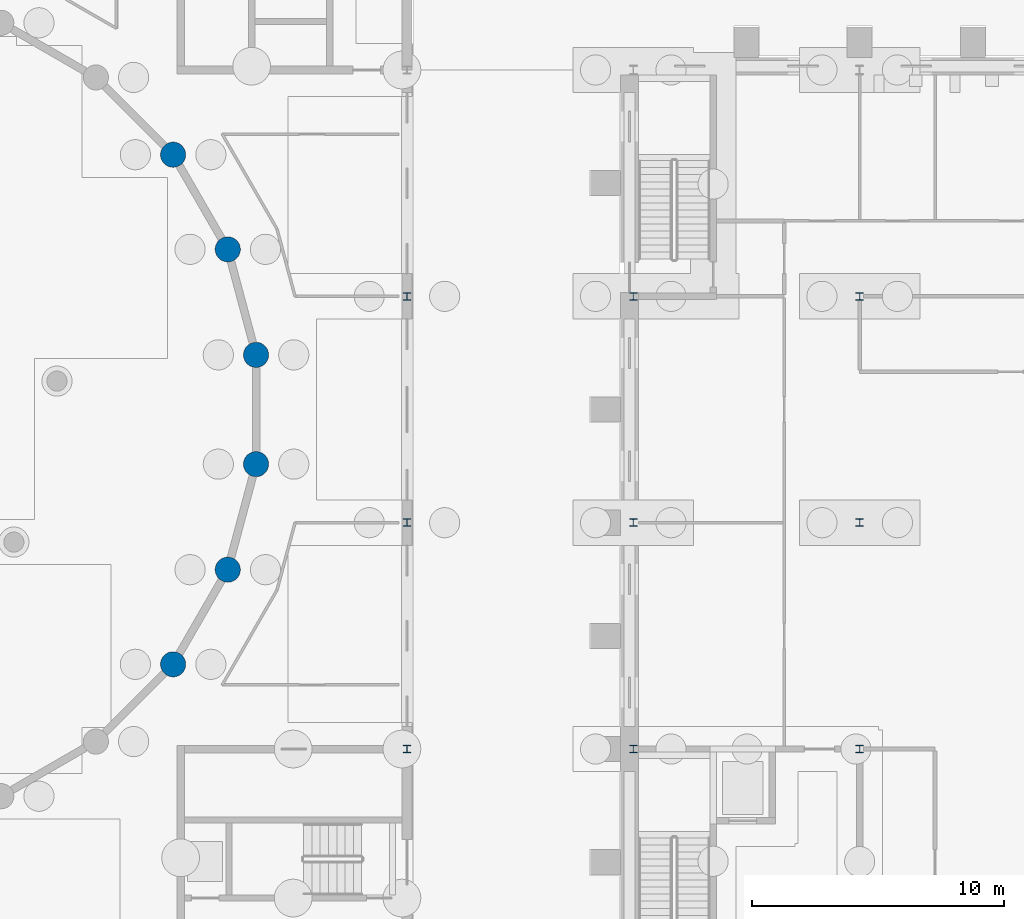
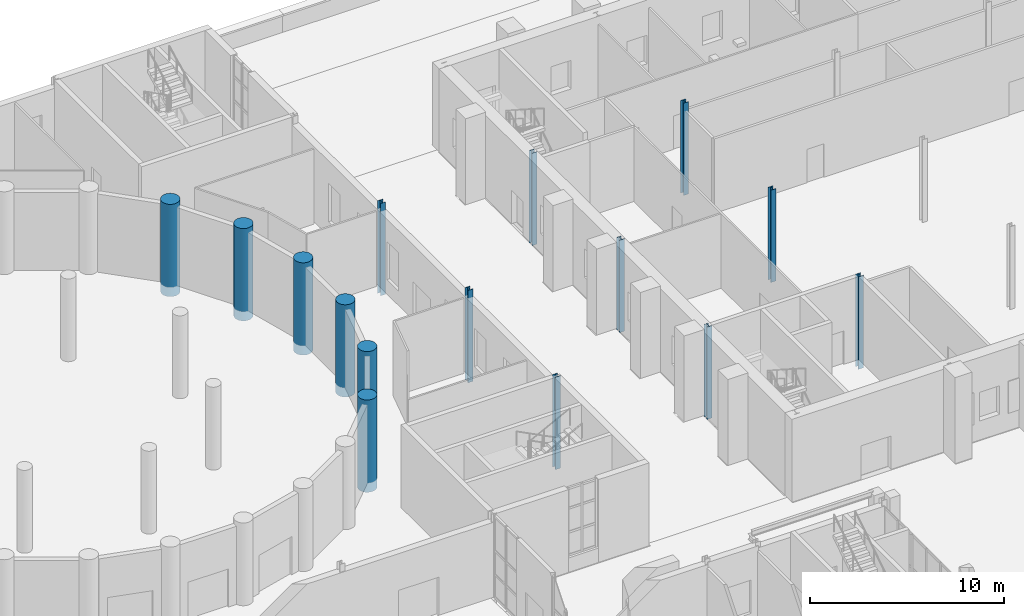
# One storey, part 26 of 168: 15 columns.
"""IFC4 building model written with IfcOpenShell, lengths in metres."""

from ifc_helpers import new_model, si_unit, direction, frame, origin, origin_2d, place, context, subcontext, project, spatial, circle, i_section, extrude, material, material_profile, profile_set, type_object, element, save


model = new_model("IFC4")

# Units and contexts
model_context = context("Model", 3, precision=1e-05, world=origin(), true_north=direction((0.0, 1.0)))
body_context = subcontext(model_context, "Body", "Model", "MODEL_VIEW")
ifc_project = project(units=[si_unit("LENGTHUNIT", "METRE"), si_unit("AREAUNIT", "SQUARE_METRE"), si_unit("VOLUMEUNIT", "CUBIC_METRE"), si_unit("PLANEANGLEUNIT", "RADIAN"), si_unit("MASSUNIT", "GRAM", prefix="KILO")], contexts=[model_context])

# Site, building, storey
site_placement = place(None, origin())
site = spatial("IfcSite", under=ifc_project, at=site_placement, CompositionType="ELEMENT")
building_placement = place(site_placement, origin())
building = spatial("IfcBuilding", under=site, at=building_placement, Name="Golden Quay Civic Hall", CompositionType="ELEMENT")
storey_placement = place(building_placement, origin())
storey = spatial("IfcBuildingStorey", under=building, at=storey_placement, Name="L00", CompositionType="ELEMENT", Elevation=0.0)

# Columns
ifc_material_1 = material(Name="Concrete C50/60", Category="concrete")
ifc_material_profile_1 = material_profile(ifc_material_1, circle(Radius=0.5, at=origin_2d()), Name="RC D1000")
ifc_profile_set_1 = profile_set([ifc_material_profile_1], Name="Concrete C50/60")
column_type_1 = type_object("IfcColumnType", Name="Reinforced concrete column D1000", PredefinedType="COLUMN", material=ifc_profile_set_1)
for number, where, z_axis, x_axis, name in (
    (1, (102.0, 87.67236328125, -0.60009765625), (0.0, 0.0, 1.0), (1.0, 0.0, 0.0), "Rotunda colonnade column 1"),
    (2, (100.87548828125, 91.86865234375, -0.60009765625), (0.0, 0.0, 1.0), (1.0, 0.0, 0.0), "Rotunda colonnade column 2"),
    (3, (98.703369140625, 95.63134765625, -0.60009765625), (0.0, 0.0, 1.0), (1.0, 0.0, 0.0), "Rotunda colonnade column 3"),
    (4, (98.703369140625, 75.36865234375, -0.60009765625), (0.0, 0.0, 1.0), (1.0, 0.0, 0.0), "Rotunda colonnade column 22"),
    (5, (100.87548828125, 79.13134765625, -0.60009765625), (0.0, 0.0, 1.0), (1.0, 0.0, 0.0), "Rotunda colonnade column 23"),
    (6, (102.0, 83.32763671875, -0.60009765625), (0.0, 0.0, 1.0), (1.0, 0.0, 0.0), "Rotunda colonnade column 24"),
):
    element("IfcColumn", number, at=place(storey_placement, frame(where, z_axis=z_axis, x_axis=x_axis)), inside=storey, type_object=column_type_1, Name=name, PredefinedType="COLUMN", context=body_context, shape_type="SweptSolid", body=[
        extrude(circle(Radius=0.5, at=origin_2d()), origin(), (0.0, 0.0, 1.0), 5.800048828125),
    ])
ifc_material_2 = material(Name="Steel S355", Category="steel")
ifc_material_profile_2 = material_profile(ifc_material_2, i_section(OverallWidth=0.300048828125, OverallDepth=0.300048828125, WebThickness=0.010986328125, FlangeThickness=0.01904296875, FilletRadius=0.027099609375, at=origin_2d()), Name="HEB 300")
ifc_profile_set_2 = profile_set([ifc_material_profile_2], Name="Steel S355")
column_type_2 = type_object("IfcColumnType", Name="Steel column HEB 300", PredefinedType="COLUMN", material=ifc_profile_set_2)
for number, where, z_axis, x_axis, name in (
    (7, (108.0, 81.0, -0.60009765625), (0.0, 0.0, 1.0), (1.0, 0.0, 0.0), "Base column 7"),
    (8, (108.0, 90.0, -0.60009765625), (0.0, 0.0, 1.0), (1.0, 0.0, 0.0), "Base column 8"),
    (9, (108.0, 72.0, -0.60009765625), (0.0, 0.0, 1.0), (1.0, 0.0, 0.0), "Base column 15"),
    (10, (117.0, 72.0, -0.60009765625), (0.0, 0.0, 1.0), (1.0, 0.0, 0.0), "L00 column 117/72"),
    (11, (117.0, 81.0, -0.60009765625), (0.0, 0.0, 1.0), (1.0, 0.0, 0.0), "L00 column 117/81"),
    (12, (117.0, 90.0, -0.60009765625), (0.0, 0.0, 1.0), (1.0, 0.0, 0.0), "L00 column 117/90"),
    (13, (126.0, 72.0, -0.60009765625), (0.0, 0.0, 1.0), (1.0, 0.0, 0.0), "L00 column 126/72"),
    (14, (126.0, 81.0, -0.60009765625), (0.0, 0.0, 1.0), (1.0, 0.0, 0.0), "L00 column 126/81"),
    (15, (126.0, 90.0, -0.60009765625), (0.0, 0.0, 1.0), (1.0, 0.0, 0.0), "L00 column 126/90"),
):
    element("IfcColumn", number, at=place(storey_placement, frame(where, z_axis=z_axis, x_axis=x_axis)), inside=storey, type_object=column_type_2, Name=name, PredefinedType="COLUMN", context=body_context, shape_type="SweptSolid", body=[
        extrude(i_section(OverallWidth=0.300048828125, OverallDepth=0.300048828125, WebThickness=0.010986328125, FlangeThickness=0.01904296875, FilletRadius=0.027099609375, at=origin_2d()), origin(), (0.0, 0.0, 1.0), 5.800048828125),
    ])

save(model, "model.ifc")
